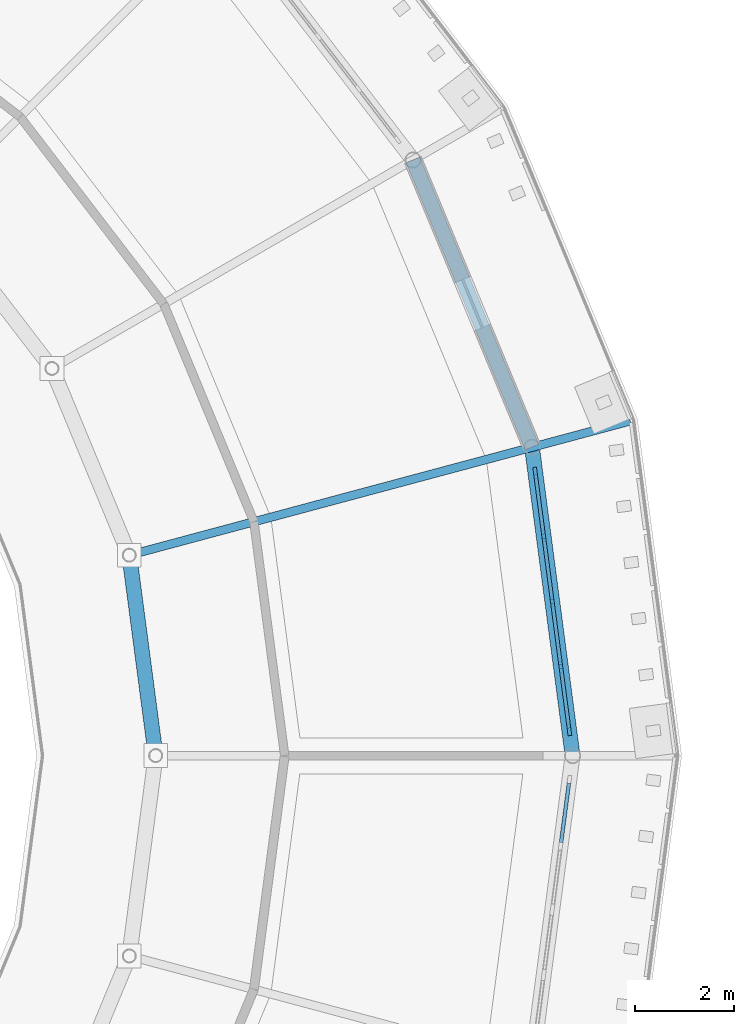
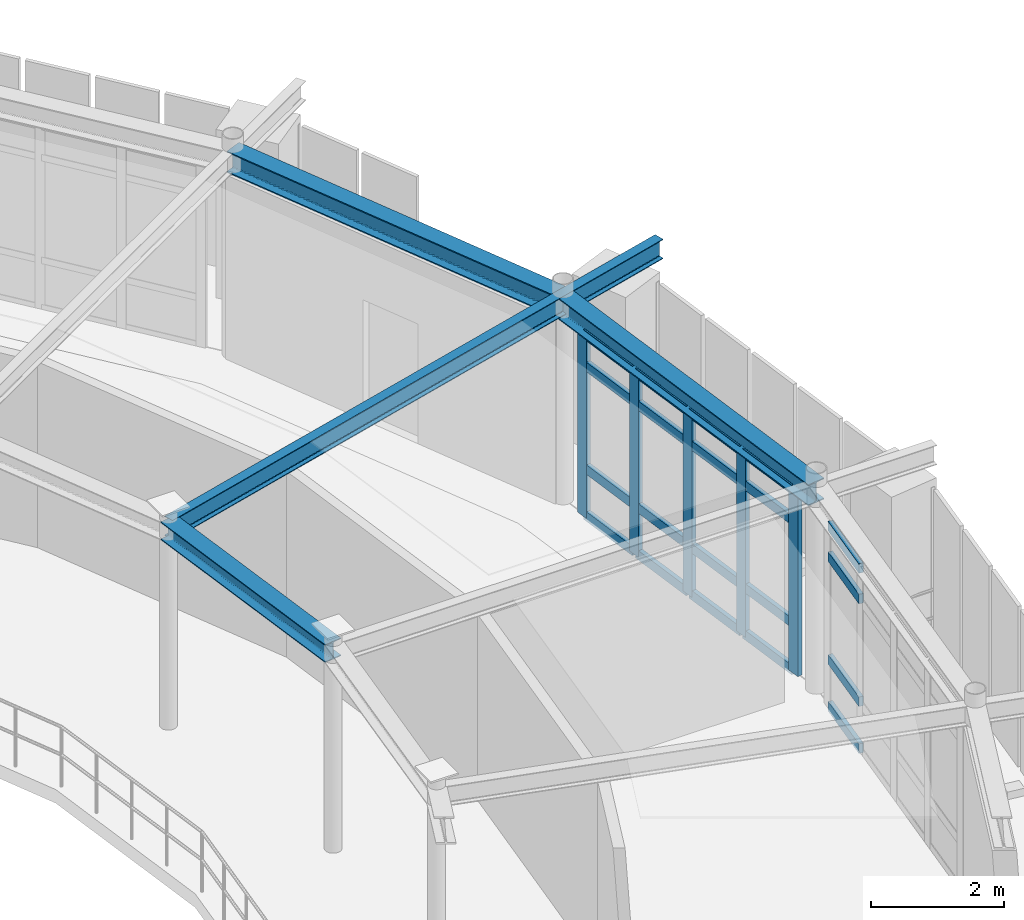
# One storey, part 27 of 70: 25 members, 4 beams, 2 elements without a shape of their own.
"""IFC4 building model written with IfcOpenShell, lengths in metres."""

from ifc_helpers import new_model, si_unit, derived_unit, direction, frame, origin, origin_2d, place, context, subcontext, project, spatial, rectangle, i_section, extrude, material, layer, layer_set, material_profile, profile_set, type_object, element, aggregate, save


model = new_model("IFC4")

# Units and contexts
model_context = context("Model", 3, precision=1e-05, world=origin(), true_north=direction((0.0, 1.0)))
body_context = subcontext(model_context, "Body", "Model", "MODEL_VIEW")
ifc_project = project(units=[si_unit("LENGTHUNIT", "METRE"), si_unit("AREAUNIT", "SQUARE_METRE"), si_unit("VOLUMEUNIT", "CUBIC_METRE"), si_unit("PLANEANGLEUNIT", "RADIAN"), si_unit("MASSUNIT", "GRAM", prefix="KILO"), derived_unit("THERMALTRANSMITTANCEUNIT", [(si_unit("POWERUNIT", "WATT"), 1), (si_unit("AREAUNIT", "SQUARE_METRE"), -1), (si_unit("THERMODYNAMICTEMPERATUREUNIT", "KELVIN"), -1)])], contexts=[model_context])

# Site, building, storey
site_placement = place(None, origin())
site = spatial("IfcSite", under=ifc_project, at=site_placement, CompositionType="ELEMENT")
building_placement = place(site_placement, origin())
building = spatial("IfcBuilding", under=site, at=building_placement, Name="Yasenodar Specialist Clinic", CompositionType="ELEMENT")
storey_placement = place(building_placement, frame((0.0, 0.0, 13.199951171875)))
storey = spatial("IfcBuildingStorey", under=building, at=storey_placement, Name="L03", CompositionType="ELEMENT", Elevation=13.199951171875)

# Beams
ifc_material_1 = material(Name="Steel S355", Category="steel")
ifc_material_profile_1 = material_profile(ifc_material_1, i_section(OverallWidth=0.300048828125, OverallDepth=0.330078125, WebThickness=0.009521484375, FlangeThickness=0.0166015625, FilletRadius=0.027099609375, at=origin_2d()), Name="HEA 340")
ifc_profile_set_1 = profile_set([ifc_material_profile_1], Name="Steel S355")
beam_type_1 = type_object("IfcBeamType", Name="BM-HEA340", PredefinedType="BEAM", material=ifc_profile_set_1)
beam_1_placement = place(storey_placement, frame((96.60009765625, 58.800048828125, 3.635009765625), z_axis=(-0.130569268018, 0.991439189385, 0.0), x_axis=(-0.991439189385, -0.130569268018, 0.0)))
element("IfcBeam", 1, at=beam_1_placement, inside=storey, type_object=beam_type_1, Name="L03 Drum V1 Inner Ring Beam", PredefinedType="BEAM", context=body_context, shape_type="SweptSolid", body=[
    extrude(i_section(OverallWidth=0.300048828125, OverallDepth=0.330078125, WebThickness=0.009521484375, FlangeThickness=0.0166015625, FilletRadius=0.027099609375, at=origin_2d()), origin(), (0.0, 0.0, 1.0), 4.072509765625),
])
ifc_material_profile_2 = material_profile(ifc_material_1, i_section(OverallWidth=0.300048828125, OverallDepth=0.389892578125, WebThickness=0.010986328125, FlangeThickness=0.01904296875, FilletRadius=0.027099609375, at=origin_2d()), Name="HEA 400")
ifc_profile_set_2 = profile_set([ifc_material_profile_2], Name="Steel S355")
beam_type_2 = type_object("IfcBeamType", Name="BM-HEA400", PredefinedType="BEAM", material=ifc_profile_set_2)
beam_2_placement = place(storey_placement, frame((105.0, 58.800048828125, 3.60498046875), z_axis=(-0.130540192224, 0.991443018138, 0.0), x_axis=(-0.991443018138, -0.130540192224, 0.0)))
element("IfcBeam", 2, at=beam_2_placement, inside=storey, type_object=beam_type_2, Name="L03 Drum V1 Perimeter Ring Beam", PredefinedType="BEAM", context=body_context, shape_type="SweptSolid", body=[
    extrude(i_section(OverallWidth=0.300048828125, OverallDepth=0.389892578125, WebThickness=0.010986328125, FlangeThickness=0.01904296875, FilletRadius=0.027099609375, at=origin_2d()), origin(), (0.0, 0.0, 1.0), 6.265380859375),
])
beam_3_placement = place(storey_placement, frame((104.18212890625, 65.01171875, 3.60498046875), z_axis=(-0.382663829839, 0.9238876519, 0.0), x_axis=(-0.9238876519, -0.382663829839, 0.0)))
element("IfcBeam", 3, at=beam_3_placement, inside=storey, type_object=beam_type_2, Name="L03 Drum V1 Perimeter Ring Beam", PredefinedType="BEAM", context=body_context, shape_type="SweptSolid", body=[
    extrude(i_section(OverallWidth=0.300048828125, OverallDepth=0.389892578125, WebThickness=0.010986328125, FlangeThickness=0.01904296875, FilletRadius=0.027099609375, at=origin_2d()), origin(), (0.0, 0.0, 1.0), 6.26513671875),
])
ifc_material_profile_3 = material_profile(ifc_material_1, i_section(OverallWidth=0.169921875, OverallDepth=0.360107421875, WebThickness=0.008056640625, FlangeThickness=0.0126953125, FilletRadius=0.01806640625, at=origin_2d()), Name="IPE 360")
ifc_profile_set_3 = profile_set([ifc_material_profile_3], Name="Steel S355")
beam_type_3 = type_object("IfcBeamType", Name="BM-IPE360", PredefinedType="BEAM", material=ifc_profile_set_3)
beam_4_placement = place(storey_placement, frame((96.068359375, 62.837646484375, 3.6201171875), z_axis=(0.965927925162, 0.258811211874, 0.0), x_axis=(-0.258811211874, 0.965927925162, 0.0)))
element("IfcBeam", 4, at=beam_4_placement, inside=storey, type_object=beam_type_3, Name="L03 Drum V1 Radial Back-Spanned Cantilever Beam", PredefinedType="BEAM", context=body_context, shape_type="SweptSolid", body=[
    extrude(i_section(OverallWidth=0.169921875, OverallDepth=0.360107421875, WebThickness=0.008056640625, FlangeThickness=0.0126953125, FilletRadius=0.01806640625, at=origin_2d()), origin(), (0.0, 0.0, 1.0), 10.449951171875),
])

# Curtain wall, members
ifc_material_2 = material(Name="Bronze Anodized Aluminium and Triple Low-E Glass", Category="aluminium")
ifc_layer = layer(ifc_material_2, 0.1669921875)
ifc_layer_set = layer_set([ifc_layer], Name="Bronze Anodized Aluminium and Triple Low-E Glass")
curtain_wall_type = type_object("IfcCurtainWallType", Name="CW-SYS-01", PredefinedType="USERDEFINED", material=ifc_layer_set)
curtain_wall_1_placement = place(storey_placement, origin())
curtain_wall_1 = element("IfcCurtainWall", 5, at=curtain_wall_1_placement, inside=storey, type_object=curtain_wall_type, Name="L03 Unitised Curtain Wall 040", ObjectType="UNITISED CURTAIN WALL", PredefinedType="USERDEFINED")
ifc_material_3 = material(Name="Bronze Anodized Aluminium", Category="aluminium")
ifc_material_profile_4 = material_profile(ifc_material_3, rectangle(XDim=0.074951171875, YDim=0.22509765625, at=origin_2d()), Name="CW-MULL 75x225")
ifc_profile_set_4 = profile_set([ifc_material_profile_4], Name="Bronze Anodized Aluminium")
member_type_1 = type_object("IfcMemberType", Name="CW-MULL-225", PredefinedType="MULLION", material=ifc_profile_set_4)
member_1_placement = place(storey_placement, frame((104.249755859375, 64.49853515625, 0.0), z_axis=(0.0, 0.0, 1.0), x_axis=(0.991446787601, 0.13051156024, 0.0)))
member_1 = element("IfcMember", 6, at=member_1_placement, type_object=member_type_1, Name="CW-01 mullion 1", PredefinedType="MULLION", context=body_context, shape_type="SweptSolid", body=[
    extrude(rectangle(XDim=0.074951171875, YDim=0.22509765625, at=origin_2d()), origin(), (0.0, 0.0, 1.0), 3.387939453125),
])
member_2_placement = place(storey_placement, frame((104.41796875, 63.220703125, 0.0), z_axis=(0.0, 0.0, 1.0), x_axis=(0.991446787601, 0.13051156024, 0.0)))
member_2 = element("IfcMember", 7, at=member_2_placement, type_object=member_type_1, Name="CW-01 mullion 2", PredefinedType="MULLION", context=body_context, shape_type="SweptSolid", body=[
    extrude(rectangle(XDim=0.074951171875, YDim=0.22509765625, at=origin_2d()), origin(), (0.0, 0.0, 1.0), 3.387939453125),
])
member_3_placement = place(storey_placement, frame((104.591064453125, 61.90576171875, 0.0), z_axis=(0.0, 0.0, 1.0), x_axis=(0.991446787601, 0.13051156024, 0.0)))
member_3 = element("IfcMember", 8, at=member_3_placement, type_object=member_type_1, Name="CW-01 mullion 3", PredefinedType="MULLION", context=body_context, shape_type="SweptSolid", body=[
    extrude(rectangle(XDim=0.074951171875, YDim=0.22509765625, at=origin_2d()), origin(), (0.0, 0.0, 1.0), 3.387939453125),
])
member_4_placement = place(storey_placement, frame((104.76416015625, 60.5908203125, 0.0), z_axis=(0.0, 0.0, 1.0), x_axis=(0.991446787601, 0.13051156024, 0.0)))
member_4 = element("IfcMember", 9, at=member_4_placement, type_object=member_type_1, Name="CW-01 mullion 4", PredefinedType="MULLION", context=body_context, shape_type="SweptSolid", body=[
    extrude(rectangle(XDim=0.074951171875, YDim=0.22509765625, at=origin_2d()), origin(), (0.0, 0.0, 1.0), 3.387939453125),
])
member_5_placement = place(storey_placement, frame((104.932373046875, 59.31298828125, 0.0), z_axis=(0.0, 0.0, 1.0), x_axis=(0.991446787601, 0.13051156024, 0.0)))
member_5 = element("IfcMember", 10, at=member_5_placement, type_object=member_type_1, Name="CW-01 mullion 5", PredefinedType="MULLION", context=body_context, shape_type="SweptSolid", body=[
    extrude(rectangle(XDim=0.074951171875, YDim=0.22509765625, at=origin_2d()), origin(), (0.0, 0.0, 1.0), 3.387939453125),
])
ifc_material_profile_5 = material_profile(ifc_material_3, rectangle(XDim=0.074951171875, YDim=0.175048828125, at=origin_2d()), Name="CW-TRAN 75x175")
ifc_profile_set_5 = profile_set([ifc_material_profile_5], Name="Bronze Anodized Aluminium")
member_type_2 = type_object("IfcMemberType", Name="CW-TRAN-175", PredefinedType="USERDEFINED", material=ifc_profile_set_5)
member_6_placement = place(storey_placement, frame((104.254638671875, 64.46142578125, 0.03759765625), z_axis=(0.130542966465, -0.991442652858, 0.0), x_axis=(0.991442652858, 0.130542966465, 0.0)))
member_6 = element("IfcMember", 11, at=member_6_placement, type_object=member_type_2, Name="CW-01 transom 1.1", ObjectType="TRANSOM", PredefinedType="USERDEFINED", context=body_context, shape_type="SweptSolid", body=[
    extrude(rectangle(XDim=0.074951171875, YDim=0.175048828125, at=origin_2d()), origin(), (0.0, 0.0, 1.0), 1.2138671875),
])
member_7_placement = place(storey_placement, frame((104.254638671875, 64.46142578125, 0.900146484375), z_axis=(0.130542966465, -0.991442652858, 0.0), x_axis=(0.991442652858, 0.130542966465, 0.0)))
member_7 = element("IfcMember", 12, at=member_7_placement, type_object=member_type_2, Name="CW-01 transom 1.2", ObjectType="TRANSOM", PredefinedType="USERDEFINED", context=body_context, shape_type="SweptSolid", body=[
    extrude(rectangle(XDim=0.074951171875, YDim=0.175048828125, at=origin_2d()), origin(), (0.0, 0.0, 1.0), 1.2138671875),
])
member_8_placement = place(storey_placement, frame((104.254638671875, 64.46142578125, 2.7880859375), z_axis=(0.130542966465, -0.991442652858, 0.0), x_axis=(0.991442652858, 0.130542966465, 0.0)))
member_8 = element("IfcMember", 13, at=member_8_placement, type_object=member_type_2, Name="CW-01 transom 1.3", ObjectType="TRANSOM", PredefinedType="USERDEFINED", context=body_context, shape_type="SweptSolid", body=[
    extrude(rectangle(XDim=0.074951171875, YDim=0.175048828125, at=origin_2d()), origin(), (0.0, 0.0, 1.0), 1.2138671875),
])
member_9_placement = place(storey_placement, frame((104.254638671875, 64.46142578125, 3.3505859375), z_axis=(0.130542966465, -0.991442652858, 0.0), x_axis=(0.991442652858, 0.130542966465, 0.0)))
member_9 = element("IfcMember", 14, at=member_9_placement, type_object=member_type_2, Name="CW-01 transom 1.4", ObjectType="TRANSOM", PredefinedType="USERDEFINED", context=body_context, shape_type="SweptSolid", body=[
    extrude(rectangle(XDim=0.074951171875, YDim=0.175048828125, at=origin_2d()), origin(), (0.0, 0.0, 1.0), 1.2138671875),
])
member_10_placement = place(storey_placement, frame((104.4228515625, 63.18359375, 0.03759765625), z_axis=(0.130540320379, -0.991443001264, 0.0), x_axis=(0.991443001264, 0.130540320379, 0.0)))
member_10 = element("IfcMember", 15, at=member_10_placement, type_object=member_type_2, Name="CW-01 transom 2.1", ObjectType="TRANSOM", PredefinedType="USERDEFINED", context=body_context, shape_type="SweptSolid", body=[
    extrude(rectangle(XDim=0.074951171875, YDim=0.175048828125, at=origin_2d()), origin(), (0.0, 0.0, 1.0), 1.251220703125),
])
member_11_placement = place(storey_placement, frame((104.4228515625, 63.18359375, 0.900146484375), z_axis=(0.130540320379, -0.991443001264, 0.0), x_axis=(0.991443001264, 0.130540320379, 0.0)))
member_11 = element("IfcMember", 16, at=member_11_placement, type_object=member_type_2, Name="CW-01 transom 2.2", ObjectType="TRANSOM", PredefinedType="USERDEFINED", context=body_context, shape_type="SweptSolid", body=[
    extrude(rectangle(XDim=0.074951171875, YDim=0.175048828125, at=origin_2d()), origin(), (0.0, 0.0, 1.0), 1.251220703125),
])
member_12_placement = place(storey_placement, frame((104.4228515625, 63.18359375, 2.7880859375), z_axis=(0.130540320379, -0.991443001264, 0.0), x_axis=(0.991443001264, 0.130540320379, 0.0)))
member_12 = element("IfcMember", 17, at=member_12_placement, type_object=member_type_2, Name="CW-01 transom 2.3", ObjectType="TRANSOM", PredefinedType="USERDEFINED", context=body_context, shape_type="SweptSolid", body=[
    extrude(rectangle(XDim=0.074951171875, YDim=0.175048828125, at=origin_2d()), origin(), (0.0, 0.0, 1.0), 1.251220703125),
])
member_13_placement = place(storey_placement, frame((104.4228515625, 63.18359375, 3.3505859375), z_axis=(0.130540320379, -0.991443001264, 0.0), x_axis=(0.991443001264, 0.130540320379, 0.0)))
member_13 = element("IfcMember", 18, at=member_13_placement, type_object=member_type_2, Name="CW-01 transom 2.4", ObjectType="TRANSOM", PredefinedType="USERDEFINED", context=body_context, shape_type="SweptSolid", body=[
    extrude(rectangle(XDim=0.074951171875, YDim=0.175048828125, at=origin_2d()), origin(), (0.0, 0.0, 1.0), 1.251220703125),
])
member_14_placement = place(storey_placement, frame((104.595947265625, 61.86865234375, 0.03759765625), z_axis=(0.130540320379, -0.991443001264, 0.0), x_axis=(0.991443001264, 0.130540320379, 0.0)))
member_14 = element("IfcMember", 19, at=member_14_placement, type_object=member_type_2, Name="CW-01 transom 3.1", ObjectType="TRANSOM", PredefinedType="USERDEFINED", context=body_context, shape_type="SweptSolid", body=[
    extrude(rectangle(XDim=0.074951171875, YDim=0.175048828125, at=origin_2d()), origin(), (0.0, 0.0, 1.0), 1.251220703125),
])
member_15_placement = place(storey_placement, frame((104.595947265625, 61.86865234375, 0.900146484375), z_axis=(0.130540320379, -0.991443001264, 0.0), x_axis=(0.991443001264, 0.130540320379, 0.0)))
member_15 = element("IfcMember", 20, at=member_15_placement, type_object=member_type_2, Name="CW-01 transom 3.2", ObjectType="TRANSOM", PredefinedType="USERDEFINED", context=body_context, shape_type="SweptSolid", body=[
    extrude(rectangle(XDim=0.074951171875, YDim=0.175048828125, at=origin_2d()), origin(), (0.0, 0.0, 1.0), 1.251220703125),
])
member_16_placement = place(storey_placement, frame((104.595947265625, 61.86865234375, 2.7880859375), z_axis=(0.130540320379, -0.991443001264, 0.0), x_axis=(0.991443001264, 0.130540320379, 0.0)))
member_16 = element("IfcMember", 21, at=member_16_placement, type_object=member_type_2, Name="CW-01 transom 3.3", ObjectType="TRANSOM", PredefinedType="USERDEFINED", context=body_context, shape_type="SweptSolid", body=[
    extrude(rectangle(XDim=0.074951171875, YDim=0.175048828125, at=origin_2d()), origin(), (0.0, 0.0, 1.0), 1.251220703125),
])
member_17_placement = place(storey_placement, frame((104.595947265625, 61.86865234375, 3.3505859375), z_axis=(0.130540320379, -0.991443001264, 0.0), x_axis=(0.991443001264, 0.130540320379, 0.0)))
member_17 = element("IfcMember", 22, at=member_17_placement, type_object=member_type_2, Name="CW-01 transom 3.4", ObjectType="TRANSOM", PredefinedType="USERDEFINED", context=body_context, shape_type="SweptSolid", body=[
    extrude(rectangle(XDim=0.074951171875, YDim=0.175048828125, at=origin_2d()), origin(), (0.0, 0.0, 1.0), 1.251220703125),
])
member_18_placement = place(storey_placement, frame((104.76904296875, 60.5537109375, 0.03759765625), z_axis=(0.130542966465, -0.991442652858, 0.0), x_axis=(0.991442652858, 0.130542966465, 0.0)))
member_18 = element("IfcMember", 23, at=member_18_placement, type_object=member_type_2, Name="CW-01 transom 4.1", ObjectType="TRANSOM", PredefinedType="USERDEFINED", context=body_context, shape_type="SweptSolid", body=[
    extrude(rectangle(XDim=0.074951171875, YDim=0.175048828125, at=origin_2d()), origin(), (0.0, 0.0, 1.0), 1.2138671875),
])
member_19_placement = place(storey_placement, frame((104.76904296875, 60.5537109375, 0.900146484375), z_axis=(0.130542966465, -0.991442652858, 0.0), x_axis=(0.991442652858, 0.130542966465, 0.0)))
member_19 = element("IfcMember", 24, at=member_19_placement, type_object=member_type_2, Name="CW-01 transom 4.2", ObjectType="TRANSOM", PredefinedType="USERDEFINED", context=body_context, shape_type="SweptSolid", body=[
    extrude(rectangle(XDim=0.074951171875, YDim=0.175048828125, at=origin_2d()), origin(), (0.0, 0.0, 1.0), 1.2138671875),
])
member_20_placement = place(storey_placement, frame((104.76904296875, 60.5537109375, 2.7880859375), z_axis=(0.130542966465, -0.991442652858, 0.0), x_axis=(0.991442652858, 0.130542966465, 0.0)))
member_20 = element("IfcMember", 25, at=member_20_placement, type_object=member_type_2, Name="CW-01 transom 4.3", ObjectType="TRANSOM", PredefinedType="USERDEFINED", context=body_context, shape_type="SweptSolid", body=[
    extrude(rectangle(XDim=0.074951171875, YDim=0.175048828125, at=origin_2d()), origin(), (0.0, 0.0, 1.0), 1.2138671875),
])
member_21_placement = place(storey_placement, frame((104.76904296875, 60.5537109375, 3.3505859375), z_axis=(0.130542966465, -0.991442652858, 0.0), x_axis=(0.991442652858, 0.130542966465, 0.0)))
member_21 = element("IfcMember", 26, at=member_21_placement, type_object=member_type_2, Name="CW-01 transom 4.4", ObjectType="TRANSOM", PredefinedType="USERDEFINED", context=body_context, shape_type="SweptSolid", body=[
    extrude(rectangle(XDim=0.074951171875, YDim=0.175048828125, at=origin_2d()), origin(), (0.0, 0.0, 1.0), 1.2138671875),
])
aggregate(curtain_wall_1, [member_1, member_2, member_3, member_4, member_5, member_6, member_7, member_8, member_9, member_10, member_11, member_12, member_13, member_14, member_15, member_16, member_17, member_18, member_19, member_20, member_21])

curtain_wall_2_placement = place(storey_placement, origin())
curtain_wall_2 = element("IfcCurtainWall", 27, at=curtain_wall_2_placement, inside=storey, type_object=curtain_wall_type, Name="L03 Unitised Curtain Wall 055", ObjectType="UNITISED CURTAIN WALL", PredefinedType="USERDEFINED")
member_22_placement = place(storey_placement, frame((104.927490234375, 58.249755859375, 0.03759765625), z_axis=(-0.130542966465, -0.991442652858, 0.0), x_axis=(0.991442652858, -0.130542966465, 0.0)))
member_22 = element("IfcMember", 28, at=member_22_placement, type_object=member_type_2, Name="CW-01 transom 1.1", ObjectType="TRANSOM", PredefinedType="USERDEFINED", context=body_context, shape_type="SweptSolid", body=[
    extrude(rectangle(XDim=0.074951171875, YDim=0.175048828125, at=origin_2d()), origin(), (0.0, 0.0, 1.0), 1.2138671875),
])
member_23_placement = place(storey_placement, frame((104.927490234375, 58.249755859375, 0.900146484375), z_axis=(-0.130542966465, -0.991442652858, 0.0), x_axis=(0.991442652858, -0.130542966465, 0.0)))
member_23 = element("IfcMember", 29, at=member_23_placement, type_object=member_type_2, Name="CW-01 transom 1.2", ObjectType="TRANSOM", PredefinedType="USERDEFINED", context=body_context, shape_type="SweptSolid", body=[
    extrude(rectangle(XDim=0.074951171875, YDim=0.175048828125, at=origin_2d()), origin(), (0.0, 0.0, 1.0), 1.2138671875),
])
member_24_placement = place(storey_placement, frame((104.927490234375, 58.249755859375, 2.7880859375), z_axis=(-0.130542966465, -0.991442652858, 0.0), x_axis=(0.991442652858, -0.130542966465, 0.0)))
member_24 = element("IfcMember", 30, at=member_24_placement, type_object=member_type_2, Name="CW-01 transom 1.3", ObjectType="TRANSOM", PredefinedType="USERDEFINED", context=body_context, shape_type="SweptSolid", body=[
    extrude(rectangle(XDim=0.074951171875, YDim=0.175048828125, at=origin_2d()), origin(), (0.0, 0.0, 1.0), 1.2138671875),
])
member_25_placement = place(storey_placement, frame((104.927490234375, 58.249755859375, 3.3505859375), z_axis=(-0.130542966465, -0.991442652858, 0.0), x_axis=(0.991442652858, -0.130542966465, 0.0)))
member_25 = element("IfcMember", 31, at=member_25_placement, type_object=member_type_2, Name="CW-01 transom 1.4", ObjectType="TRANSOM", PredefinedType="USERDEFINED", context=body_context, shape_type="SweptSolid", body=[
    extrude(rectangle(XDim=0.074951171875, YDim=0.175048828125, at=origin_2d()), origin(), (0.0, 0.0, 1.0), 1.2138671875),
])
aggregate(curtain_wall_2, [member_22, member_23, member_24, member_25])

save(model, "model.ifc")
